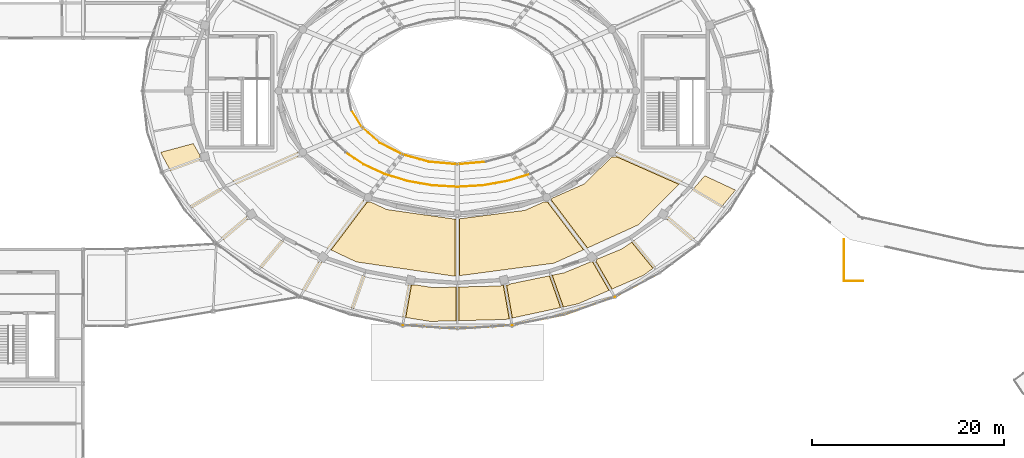
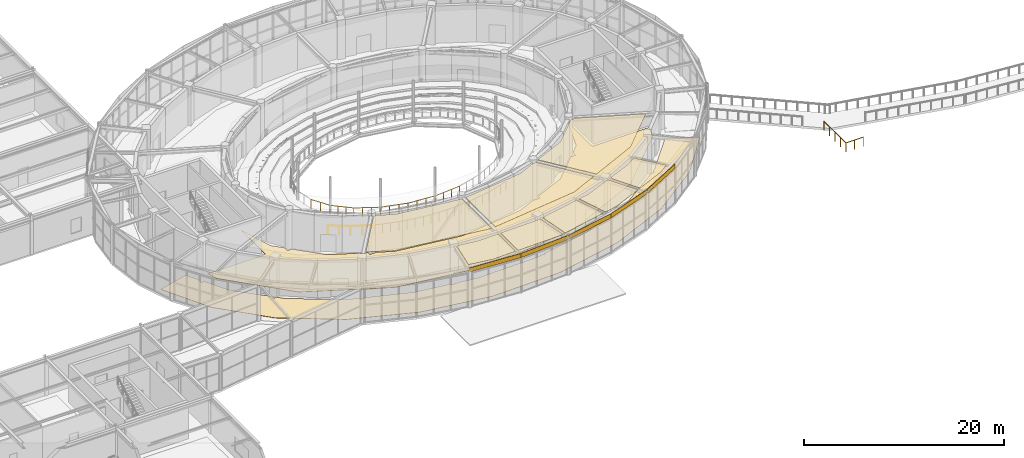
# One storey, part 91 of 100: 16 railings, 15 coverings.
"""IFC4 building model written with IfcOpenShell, lengths in metres."""

from ifc_helpers import new_model, si_unit, direction, frame, frame_2d, origin, origin_2d, place, context, subcontext, project, spatial, polyline, rectangle, circle, outline, extrude, material, layer, layer_set, type_object, element, save


model = new_model("IFC4")

# Units and contexts
model_context = context("Model", 3, precision=1e-05, world=origin(), true_north=direction((0.0, 1.0)))
body_context = subcontext(model_context, "Body", "Model", "MODEL_VIEW")
ifc_project = project(units=[si_unit("LENGTHUNIT", "METRE"), si_unit("AREAUNIT", "SQUARE_METRE"), si_unit("VOLUMEUNIT", "CUBIC_METRE"), si_unit("PLANEANGLEUNIT", "RADIAN"), si_unit("MASSUNIT", "GRAM", prefix="KILO")], contexts=[model_context])

# Site, building, storey
site_placement = place(None, origin())
site = spatial("IfcSite", under=ifc_project, at=site_placement, CompositionType="ELEMENT")
building_placement = place(site_placement, origin())
building = spatial("IfcBuilding", under=site, at=building_placement, Name="Tarnveldt Headland Concert Hall", CompositionType="ELEMENT")
storey_placement = place(building_placement, frame((0.0, 0.0, 4.800048828125)))
storey = spatial("IfcBuildingStorey", under=building, at=storey_placement, Name="L01", CompositionType="ELEMENT", Elevation=4.800048828125)

# Coverings
ifc_material_1 = material(Name="Micro-perforated mvule acoustic ceiling panel", Category="timber")
ifc_layer_1 = layer(ifc_material_1, 0.050048828125, Name="Micro-perforated mvule acoustic ceiling panel", Category="timber")
ifc_layer_set_1 = layer_set([ifc_layer_1], Name="Micro-perforated mvule acoustic ceiling panel")
covering_type_1 = type_object("IfcCoveringType", Name="CV-CEIL50", PredefinedType="CEILING", material=ifc_layer_set_1)
covering_1_placement = place(storey_placement, frame((0.0, 0.0, 4.489990234375)))
element("IfcCovering", 1, at=covering_1_placement, inside=storey, type_object=covering_type_1, Name="Acoustic mvule ceiling L01-09-116", PredefinedType="CEILING", context=body_context, shape_type="SweptSolid", body=[
    extrude(outline(polyline([(76.165283203125, 42.1376953125), (83.27001953125, 41.127685546875), (83.27001953125, 35.18359375), (83.260986328125, 35.182373046875), (72.973388671875, 36.675048828125), (70.344482421875, 37.91748046875), (74.111083984375, 42.914794921875), (74.46875, 42.914794921875), (76.114990234375, 42.152587890625), (76.13134765625, 42.14599609375), (76.148193359375, 42.140869140625), (76.165283203125, 42.1376953125)])), origin(), (0.0, 0.0, 1.0), 0.050048828125),
])
covering_2_placement = place(storey_placement, frame((0.0, 0.0, 4.489990234375)))
element("IfcCovering", 2, at=covering_2_placement, inside=storey, type_object=covering_type_1, Name="Acoustic mvule ceiling L01-09-117", PredefinedType="CEILING", context=body_context, shape_type="SweptSolid", body=[
    extrude(outline(polyline([(90.525146484375, 42.050537109375), (90.54248046875, 42.0537109375), (90.55908203125, 42.058349609375), (90.575439453125, 42.064697265625), (92.482421875, 42.914794921875), (92.888916015625, 42.914794921875), (96.640380859375, 37.93798828125), (93.58447265625, 36.54736328125), (83.72998046875, 35.244384765625), (83.72998046875, 41.17041015625), (83.95947265625, 41.199951171875), (84.0, 41.199951171875), (84.0, 41.205322265625), (90.525146484375, 42.050537109375)])), origin(), (0.0, 0.0, 1.0), 0.050048828125),
])
covering_3_placement = place(storey_placement, frame((0.0, 0.0, 4.489990234375)))
element("IfcCovering", 3, at=covering_3_placement, inside=storey, type_object=covering_type_1, Name="Acoustic mvule ceiling L01-09-118", PredefinedType="CEILING", context=body_context, shape_type="SweptSolid", body=[
    extrude(outline(polyline([(96.726318359375, 44.8076171875), (96.739990234375, 44.816162109375), (96.7529296875, 44.82568359375), (96.764892578125, 44.836669921875), (99.569580078125, 47.60009765625), (100.108154296875, 47.60009765625), (100.108154296875, 47.62744140625), (106.586669921875, 44.762451171875), (102.412109375, 40.564208984375), (97.069091796875, 38.133056640625), (93.300048828125, 43.1337890625), (93.300048828125, 43.279296875), (96.7119140625, 44.80029296875), (96.726318359375, 44.8076171875)])), origin(), (0.0, 0.0, 1.0), 0.050048828125),
])
covering_4_placement = place(storey_placement, frame((0.0, 0.0, 4.489990234375)))
element("IfcCovering", 4, at=covering_4_placement, inside=storey, type_object=covering_type_1, Name="Acoustic mvule ceiling L01-11-130", PredefinedType="CEILING", context=body_context, shape_type="SweptSolid", body=[
    extrude(outline(polyline([(78.12451171875, 30.88427734375), (78.72314453125, 34.27880859375), (79.162841796875, 34.27880859375), (79.162841796875, 34.27978515625), (80.99755859375, 33.999755859375), (81.013427734375, 33.998046875), (81.029296875, 33.997802734375), (83.344970703125, 34.055908203125), (83.344970703125, 30.54248046875), (80.69677734375, 30.472900390625), (78.12451171875, 30.88427734375)])), origin(), (0.0, 0.0, 1.0), 0.050048828125),
])
covering_5_placement = place(storey_placement, frame((0.0, 0.0, 4.489990234375)))
element("IfcCovering", 5, at=covering_5_placement, inside=storey, type_object=covering_type_1, Name="Acoustic mvule ceiling L01-11-131", PredefinedType="CEILING", context=body_context, shape_type="SweptSolid", body=[
    extrude(outline(polyline([(83.655029296875, 34.0634765625), (87.947265625, 34.17138671875), (87.963134765625, 34.17236328125), (87.97900390625, 34.1748046875), (88.2841796875, 34.23779296875), (88.89794921875, 30.7578125), (88.53125, 30.6787109375), (83.655029296875, 30.550537109375), (83.655029296875, 34.0634765625)])), origin(), (0.0, 0.0, 1.0), 0.050048828125),
])
covering_6_placement = place(storey_placement, frame((0.0, 0.0, 4.489990234375)))
element("IfcCovering", 6, at=covering_6_placement, inside=storey, type_object=covering_type_1, Name="Acoustic mvule ceiling L01-11-132", PredefinedType="CEILING", context=body_context, shape_type="SweptSolid", body=[
    extrude(outline(polyline([(88.88720703125, 34.27880859375), (88.88720703125, 34.36181640625), (93.08203125, 35.22607421875), (94.254638671875, 31.913330078125), (89.240234375, 30.83154296875), (88.63232421875, 34.27880859375), (88.88720703125, 34.27880859375)])), origin(), (0.0, 0.0, 1.0), 0.050048828125),
])
covering_7_placement = place(storey_placement, frame((0.0, 0.0, 4.489990234375)))
element("IfcCovering", 7, at=covering_7_placement, inside=storey, type_object=covering_type_1, Name="Acoustic mvule ceiling L01-11-133", PredefinedType="CEILING", context=body_context, shape_type="SweptSolid", body=[
    extrude(outline(polyline([(99.30126953125, 33.70947265625), (96.065185546875, 32.303955078125), (94.560302734375, 31.979248046875), (93.388671875, 35.2890625), (94.633056640625, 35.54541015625), (94.649658203125, 35.549560546875), (94.665771484375, 35.555419921875), (97.31591796875, 36.654541015625), (97.60107421875, 36.654541015625), (99.30126953125, 33.70947265625)])), origin(), (0.0, 0.0, 1.0), 0.050048828125),
])
covering_8_placement = place(storey_placement, frame((0.0, 0.0, 4.489990234375)))
element("IfcCovering", 8, at=covering_8_placement, inside=storey, type_object=covering_type_1, Name="Acoustic mvule ceiling L01-11-134", PredefinedType="CEILING", context=body_context, shape_type="SweptSolid", body=[
    extrude(outline(polyline([(100.694091796875, 38.059814453125), (101.662841796875, 38.73193359375), (103.887939453125, 36.00537109375), (102.848876953125, 35.25048828125), (99.62451171875, 33.849853515625), (98.005126953125, 36.654541015625), (98.02490234375, 36.654541015625), (98.02490234375, 36.948486328125), (100.660400390625, 38.04150390625), (100.677734375, 38.0498046875), (100.694091796875, 38.059814453125)])), origin(), (0.0, 0.0, 1.0), 0.050048828125),
])
ifc_material_2 = material(Name="Treated East African mvule hardwood", Category="wood")
ifc_layer_2 = layer(ifc_material_2, 0.044921875, Name="Treated East African mvule hardwood", Category="wood")
ifc_layer_set_2 = layer_set([ifc_layer_2], Name="Treated East African mvule hardwood")
covering_type_2 = type_object("IfcCoveringType", Name="CV-CLAD45", PredefinedType="CLADDING", material=ifc_layer_set_2)
for number, where, z_axis, x_axis, name in (
    (9, (77.80419921875, 30.076904296875, 4.239990234375), (0.0, 0.0, 1.0), (0.997817213059, -0.066036424216, 0.0), "Mvule hardwood fascia band L01-27"),
    (10, (83.5, 29.699951171875, 4.239990234375), (0.0, 0.0, 1.0), (0.997817213059, 0.066036424216, 0.0), "Mvule hardwood fascia band L01-28"),
):
    element("IfcCovering", number, at=place(storey_placement, frame(where, z_axis=z_axis, x_axis=x_axis)), inside=storey, type_object=covering_type_2, Name=name, PredefinedType="CLADDING", context=body_context, shape_type="SweptSolid", body=[
        extrude(rectangle(XDim=5.708251953125, YDim=0.044921875, at=frame_2d((2.85400390625, 0.0))), origin(), (0.0, 0.0, 1.0), 0.52001953125),
    ])
covering_9_placement = place(storey_placement, frame((89.19580078125, 30.076904296875, 4.239990234375), z_axis=(0.0, 0.0, 1.0), x_axis=(0.980094417088, 0.198531946026, 0.0)))
element("IfcCovering", 11, at=covering_9_placement, inside=storey, type_object=covering_type_2, Name="Mvule hardwood fascia band L01-29", PredefinedType="CLADDING", context=body_context, shape_type="SweptSolid", body=[
    extrude(rectangle(XDim=5.634521484375, YDim=0.044921875, at=frame_2d((2.8173828125, 0.0))), origin(), (0.0, 0.0, 1.0), 0.52001953125),
])
covering_10_placement = place(storey_placement, frame((94.71826171875, 31.195556640625, 4.239990234375), z_axis=(0.0, 0.0, 1.0), x_axis=(0.943085453999, 0.332550487077, 0.0)))
element("IfcCovering", 12, at=covering_10_placement, inside=storey, type_object=covering_type_2, Name="Mvule hardwood fascia band L01-30", PredefinedType="CLADDING", context=body_context, shape_type="SweptSolid", body=[
    extrude(rectangle(XDim=5.494384765625, YDim=0.044921875, at=frame_2d((2.7470703125, 0.0))), origin(), (0.0, 0.0, 1.0), 0.52001953125),
])
covering_11_placement = place(storey_placement, frame((99.89990234375, 33.022705078125, 4.239990234375), z_axis=(0.0, 0.0, 1.0), x_axis=(0.88379239872, 0.467879253617, 0.0)))
element("IfcCovering", 13, at=covering_11_placement, inside=storey, type_object=covering_type_2, Name="Mvule hardwood fascia band L01-31", PredefinedType="CLADDING", context=body_context, shape_type="SweptSolid", body=[
    extrude(rectangle(XDim=5.29931640625, YDim=0.044921875, at=frame_2d((2.649658203125, 0.0))), origin(), (0.0, 0.0, 1.0), 0.52001953125),
])
ifc_material_3 = material(Name="Polished coral-aggregate cementitious terrazzo flooring", Category="concrete")
ifc_layer_3 = layer(ifc_material_3, 0.034912109375, Name="Polished coral-aggregate cementitious terrazzo flooring", Category="concrete")
ifc_layer_set_3 = layer_set([ifc_layer_3], Name="Polished coral-aggregate cementitious terrazzo flooring")
covering_type_3 = type_object("IfcCoveringType", Name="CV-FLOR35", PredefinedType="FLOORING", material=ifc_layer_set_3)
covering_12_placement = place(storey_placement, origin())
element("IfcCovering", 14, at=covering_12_placement, inside=storey, type_object=covering_type_3, Name="Architectural flooring L01-09-36", PredefinedType="FLOORING", context=body_context, shape_type="SweptSolid", body=[
    extrude(outline(polyline([(65.89794921875, 49.190185546875), (66.891845703125, 48.17333984375), (66.891845703125, 47.60009765625), (67.45263671875, 47.60009765625), (69.9951171875, 44.999755859375), (70.0068359375, 44.988525390625), (70.019775390625, 44.978515625), (70.03369140625, 44.9697265625), (70.048095703125, 44.96240234375), (73.699951171875, 43.27099609375), (73.699951171875, 42.914794921875), (74.46875, 42.914794921875), (76.114990234375, 42.152587890625), (76.13134765625, 42.14599609375), (76.148193359375, 42.140869140625), (76.165283203125, 42.1376953125), (83.308837890625, 41.122314453125), (83.324951171875, 41.12060546875), (83.34130859375, 41.12060546875), (83.357421875, 41.1220703125), (83.95947265625, 41.199951171875), (84.0, 41.199951171875), (84.0, 41.205322265625), (90.525146484375, 42.050537109375), (90.54248046875, 42.0537109375), (90.55908203125, 42.058349609375), (90.575439453125, 42.064697265625), (92.482421875, 42.914794921875), (93.300048828125, 42.914794921875), (93.300048828125, 43.279296875), (96.7119140625, 44.80029296875), (96.726318359375, 44.8076171875), (96.739990234375, 44.816162109375), (96.7529296875, 44.82568359375), (96.764892578125, 44.836669921875), (99.569580078125, 47.60009765625), (100.108154296875, 47.60009765625), (100.108154296875, 48.130615234375), (100.966796875, 48.9765625), (100.978271484375, 48.989013671875), (100.988525390625, 49.00244140625), (100.99755859375, 49.016845703125), (101.005126953125, 49.031982421875), (101.01123046875, 49.0478515625), (102.320068359375, 52.966796875), (102.320068359375, 48.300048828125), (102.32080078125, 48.282470703125), (102.323486328125, 48.264892578125), (102.327880859375, 48.247802734375), (102.333740234375, 48.231201171875), (102.34130859375, 48.215087890625), (102.350341796875, 48.199951171875), (102.36083984375, 48.185791015625), (102.372802734375, 48.172607421875), (102.3857421875, 48.160888671875), (102.39990234375, 48.150390625), (102.4150390625, 48.141357421875), (102.43115234375, 48.1337890625), (102.44775390625, 48.127685546875), (102.46484375, 48.12353515625), (102.482421875, 48.120849609375), (102.5, 48.1201171875), (108.928955078125, 48.1201171875), (108.440185546875, 46.62646484375), (102.412109375, 40.564208984375), (93.58447265625, 36.54736328125), (83.260986328125, 35.182373046875), (72.973388671875, 36.675048828125), (64.24658203125, 40.7998046875), (58.369384765625, 46.934814453125), (58.01220703125, 48.1201171875), (64.5, 48.1201171875), (64.517578125, 48.120849609375), (64.53515625, 48.12353515625), (64.55224609375, 48.127685546875), (64.56884765625, 48.1337890625), (64.5849609375, 48.141357421875), (64.60009765625, 48.150390625), (64.6142578125, 48.160888671875), (64.627197265625, 48.172607421875), (64.63916015625, 48.185791015625), (64.649658203125, 48.199951171875), (64.65869140625, 48.215087890625), (64.666259765625, 48.231201171875), (64.672119140625, 48.247802734375), (64.676513671875, 48.264892578125), (64.67919921875, 48.282470703125), (64.679931640625, 48.300048828125), (64.679931640625, 53.08154296875), (65.8544921875, 49.262939453125), (65.8603515625, 49.246826171875), (65.86767578125, 49.2314453125), (65.87646484375, 49.216796875), (65.886474609375, 49.202880859375), (65.89794921875, 49.190185546875)])), origin(), (0.0, 0.0, 1.0), 0.034912109375),
])
covering_13_placement = place(storey_placement, origin())
element("IfcCovering", 15, at=covering_13_placement, inside=storey, type_object=covering_type_3, Name="Architectural flooring L01-11-38", PredefinedType="FLOORING", context=body_context, shape_type="SweptSolid", body=[
    extrude(outline(polyline([(58.5341796875, 44.48193359375), (61.52587890625, 41.524169921875), (61.52587890625, 41.119140625), (61.935546875, 41.119140625), (62.60302734375, 40.459228515625), (62.619140625, 40.445068359375), (62.63671875, 40.43310546875), (67.939453125, 37.23681640625), (67.955810546875, 37.228271484375), (67.972900390625, 37.22119140625), (68.97509765625, 36.8701171875), (68.97509765625, 36.654541015625), (69.59033203125, 36.654541015625), (74.1943359375, 35.04150390625), (74.21044921875, 35.03662109375), (74.226806640625, 35.033447265625), (78.11279296875, 34.440185546875), (78.11279296875, 34.27880859375), (79.162841796875, 34.27880859375), (79.162841796875, 34.27978515625), (80.99755859375, 33.999755859375), (81.013427734375, 33.998046875), (81.029296875, 33.997802734375), (87.947265625, 34.17138671875), (87.963134765625, 34.17236328125), (87.97900390625, 34.1748046875), (88.4833984375, 34.27880859375), (88.88720703125, 34.27880859375), (88.88720703125, 34.36181640625), (94.633056640625, 35.54541015625), (94.649658203125, 35.549560546875), (94.665771484375, 35.555419921875), (97.31591796875, 36.654541015625), (98.02490234375, 36.654541015625), (98.02490234375, 36.948486328125), (100.660400390625, 38.04150390625), (100.677734375, 38.0498046875), (100.694091796875, 38.059814453125), (105.1044921875, 41.119140625), (105.47412109375, 41.119140625), (105.47412109375, 41.375732421875), (105.673583984375, 41.513916015625), (105.685302734375, 41.52294921875), (105.696533203125, 41.532958984375), (105.706787109375, 41.543701171875), (109.285888671875, 45.658203125), (112.486083984375, 44.166015625), (108.477783203125, 39.33984375), (102.848876953125, 35.25048828125), (96.065185546875, 32.303955078125), (88.53125, 30.6787109375), (80.69677734375, 30.472900390625), (73.02978515625, 31.698974609375), (65.988037109375, 34.28271484375), (59.99169921875, 38.068115234375), (55.396484375, 42.826171875), (52.566650390625, 48.095703125), (55.979248046875, 49.010009765625), (56.66357421875, 47.79345703125), (56.66357421875, 47.134521484375), (57.0341796875, 47.134521484375), (58.50390625, 44.521728515625), (58.5126953125, 44.507568359375), (58.52294921875, 44.494140625), (58.5341796875, 44.48193359375)])), origin(), (0.0, 0.0, 1.0), 0.034912109375),
])

# Railings
ifc_material_4 = material(Name="Marine stainless steel", Category="steel")
ifc_layer_4 = layer(ifc_material_4, 0.074951171875, Name="Marine stainless steel", Category="steel")
ifc_layer_set_4 = layer_set([ifc_layer_4], Name="Marine stainless steel")
railing_type_1 = type_object("IfcRailingType", Name="RL-BAL110", PredefinedType="BALUSTRADE", material=ifc_layer_set_4)
railing_1_placement = place(storey_placement, frame((125.800048828125, 34.669921875, 0.0)))
element("IfcRailing", 16, at=railing_1_placement, inside=storey, type_object=railing_type_1, Name="GUARD Forecourt ramp top landing balustrade 1", PredefinedType="BALUSTRADE", context=body_context, shape_type="SweptSolid", body=[
    extrude(circle(Radius=0.02392578125, at=origin_2d()), frame((0.0, 0.0, 1.076171875), z_axis=(-1.0, 0.0, 0.0), x_axis=(0.0, -1.0, 0.0)), (0.0, 0.0, 1.0), 2.0),
    extrude(circle(Radius=0.02099609375, at=origin_2d()), origin(), (0.0, 0.0, 1.0), 1.052001953125),
    extrude(circle(Radius=0.02099609375, at=origin_2d()), frame((-1.0, 0.0, 0.0)), (0.0, 0.0, 1.0), 1.052001953125),
    extrude(circle(Radius=0.02099609375, at=origin_2d()), frame((-2.0, 0.0, 0.0)), (0.0, 0.0, 1.0), 1.052001953125),
])
railing_2_placement = place(storey_placement, frame((123.800048828125, 34.669921875, 0.0)))
element("IfcRailing", 17, at=railing_2_placement, inside=storey, type_object=railing_type_1, Name="GUARD Forecourt ramp top landing balustrade 2", PredefinedType="BALUSTRADE", context=body_context, shape_type="SweptSolid", body=[
    extrude(circle(Radius=0.02392578125, at=origin_2d()), frame((0.0, 0.0, 1.076171875), z_axis=(0.0, 1.0, 0.0), x_axis=(-1.0, 0.0, 0.0)), (0.0, 0.0, 1.0), 4.330078125),
    extrude(circle(Radius=0.02099609375, at=origin_2d()), origin(), (0.0, 0.0, 1.0), 1.052001953125),
    extrude(circle(Radius=0.02099609375, at=origin_2d()), frame((0.0, 1.08251953125, 0.0)), (0.0, 0.0, 1.0), 1.052001953125),
    extrude(circle(Radius=0.02099609375, at=origin_2d()), frame((0.0, 2.1650390625, 0.0)), (0.0, 0.0, 1.0), 1.052001953125),
    extrude(circle(Radius=0.02099609375, at=origin_2d()), frame((0.0, 3.24755859375, 0.0)), (0.0, 0.0, 1.0), 1.052001953125),
    extrude(circle(Radius=0.02099609375, at=origin_2d()), frame((0.0, 4.330078125, 0.0)), (0.0, 0.0, 1.0), 1.052001953125),
])
ifc_layer_5 = layer(ifc_material_4, 0.06005859375, Name="Marine stainless steel", Category="steel")
ifc_layer_set_5 = layer_set([ifc_layer_5], Name="Marine stainless steel")
railing_type_2 = type_object("IfcRailingType", Name="RL-GRD110", PredefinedType="GUARDRAIL", material=ifc_layer_set_5)
railing_3_placement = place(storey_placement, frame((72.440185546875, 52.52001953125, 0.280029296875)))
element("IfcRailing", 18, at=railing_3_placement, inside=storey, type_object=railing_type_2, Name="GUARD Symphony tier sightline guardrail L01 14", PredefinedType="GUARDRAIL", context=body_context, shape_type="SweptSolid", body=[
    extrude(circle(Radius=0.02392578125, at=origin_2d()), frame((0.0, 0.0, 1.076171875), z_axis=(0.526912047172, -0.849919816538, 0.0), x_axis=(0.849919816538, 0.526912047172, 0.0)), (0.0, 0.0, 1.0), 2.170654296875),
    extrude(circle(Radius=0.02099609375, at=origin_2d()), origin(), (0.0, 0.0, 1.0), 1.052001953125),
    extrude(circle(Radius=0.02099609375, at=origin_2d()), frame((0.57177734375, -0.92236328125, 0.0)), (0.0, 0.0, 1.0), 1.052001953125),
    extrude(circle(Radius=0.02099609375, at=origin_2d()), frame((1.143798828125, -1.844970703125, 0.0)), (0.0, 0.0, 1.0), 1.052001953125),
])
railing_4_placement = place(storey_placement, frame((73.583984375, 50.675048828125, 0.280029296875)))
element("IfcRailing", 19, at=railing_4_placement, inside=storey, type_object=railing_type_2, Name="GUARD Symphony tier sightline guardrail L01 15", PredefinedType="GUARDRAIL", context=body_context, shape_type="SweptSolid", body=[
    extrude(circle(Radius=0.02392578125, at=origin_2d()), frame((0.0, 0.0, 1.076171875), z_axis=(0.754147872627, -0.656704641534, 0.0), x_axis=(0.656704641534, 0.754147872627, 0.0)), (0.0, 0.0, 1.0), 2.412841796875),
    extrude(circle(Radius=0.02099609375, at=origin_2d()), origin(), (0.0, 0.0, 1.0), 1.052001953125),
    extrude(circle(Radius=0.02099609375, at=origin_2d()), frame((0.6064453125, -0.528076171875, 0.0)), (0.0, 0.0, 1.0), 1.052001953125),
    extrude(circle(Radius=0.02099609375, at=origin_2d()), frame((1.213134765625, -1.056396484375, 0.0)), (0.0, 0.0, 1.0), 1.052001953125),
    extrude(circle(Radius=0.02099609375, at=origin_2d()), frame((1.819580078125, -1.58447265625, 0.0)), (0.0, 0.0, 1.0), 1.052001953125),
])
railing_5_placement = place(storey_placement, frame((75.403564453125, 49.090576171875, 0.280029296875)))
element("IfcRailing", 20, at=railing_5_placement, inside=storey, type_object=railing_type_2, Name="GUARD Symphony tier sightline guardrail L01 16", PredefinedType="GUARDRAIL", context=body_context, shape_type="SweptSolid", body=[
    extrude(circle(Radius=0.02392578125, at=origin_2d()), frame((0.0, 0.0, 1.076171875), z_axis=(0.889892806019, -0.456169698463, 0.0), x_axis=(0.456169698463, 0.889892806019, 0.0)), (0.0, 0.0, 1.0), 2.664794921875),
    extrude(circle(Radius=0.02099609375, at=origin_2d()), origin(), (0.0, 0.0, 1.0), 1.052001953125),
    extrude(circle(Radius=0.02099609375, at=origin_2d()), frame((0.79052734375, -0.4052734375, 0.0)), (0.0, 0.0, 1.0), 1.052001953125),
    extrude(circle(Radius=0.02099609375, at=origin_2d()), frame((1.580810546875, -0.810302734375, 0.0)), (0.0, 0.0, 1.0), 1.052001953125),
    extrude(circle(Radius=0.02099609375, at=origin_2d()), frame((2.371337890625, -1.215576171875, 0.0)), (0.0, 0.0, 1.0), 1.052001953125),
])
railing_6_placement = place(storey_placement, frame((77.77490234375, 47.875, 0.280029296875)))
element("IfcRailing", 21, at=railing_6_placement, inside=storey, type_object=railing_type_2, Name="GUARD Symphony tier sightline guardrail L01 17", PredefinedType="GUARDRAIL", context=body_context, shape_type="SweptSolid", body=[
    extrude(circle(Radius=0.02392578125, at=origin_2d()), frame((0.0, 0.0, 1.076171875), z_axis=(0.963764063419, -0.266756124696, 0.0), x_axis=(0.266756124696, 0.963764063419, 0.0)), (0.0, 0.0, 1.0), 2.865478515625),
    extrude(circle(Radius=0.02099609375, at=origin_2d()), origin(), (0.0, 0.0, 1.0), 1.052001953125),
    extrude(circle(Radius=0.02099609375, at=origin_2d()), frame((0.920654296875, -0.2548828125, 0.0)), (0.0, 0.0, 1.0), 1.052001953125),
    extrude(circle(Radius=0.02099609375, at=origin_2d()), frame((1.841064453125, -0.509521484375, 0.0)), (0.0, 0.0, 1.0), 1.052001953125),
    extrude(circle(Radius=0.02099609375, at=origin_2d()), frame((2.76171875, -0.764404296875, 0.0)), (0.0, 0.0, 1.0), 1.052001953125),
])
railing_7_placement = place(storey_placement, frame((80.53662109375, 47.110595703125, 0.280029296875)))
element("IfcRailing", 22, at=railing_7_placement, inside=storey, type_object=railing_type_2, Name="GUARD Symphony tier sightline guardrail L01 18", PredefinedType="GUARDRAIL", context=body_context, shape_type="SweptSolid", body=[
    extrude(circle(Radius=0.02392578125, at=origin_2d()), frame((0.0, 0.0, 1.076171875), z_axis=(0.996158538672, -0.087568063994, 0.0), x_axis=(0.087568063994, 0.996158538672, 0.0)), (0.0, 0.0, 1.0), 2.974853515625),
    extrude(circle(Radius=0.02099609375, at=origin_2d()), origin(), (0.0, 0.0, 1.0), 1.052001953125),
    extrude(circle(Radius=0.02099609375, at=origin_2d()), frame((0.98779296875, -0.0869140625, 0.0)), (0.0, 0.0, 1.0), 1.052001953125),
    extrude(circle(Radius=0.02099609375, at=origin_2d()), frame((1.9755859375, -0.173583984375, 0.0)), (0.0, 0.0, 1.0), 1.052001953125),
    extrude(circle(Radius=0.02099609375, at=origin_2d()), frame((2.96337890625, -0.260498046875, 0.0)), (0.0, 0.0, 1.0), 1.052001953125),
])
railing_8_placement = place(storey_placement, frame((83.5, 46.85009765625, 0.280029296875)))
element("IfcRailing", 23, at=railing_8_placement, inside=storey, type_object=railing_type_2, Name="GUARD Symphony tier sightline guardrail L01 19", PredefinedType="GUARDRAIL", context=body_context, shape_type="SweptSolid", body=[
    extrude(circle(Radius=0.02392578125, at=origin_2d()), frame((0.0, 0.0, 1.076171875), z_axis=(0.996158538672, 0.087568063994, 0.0), x_axis=(-0.087568063994, 0.996158538672, 0.0)), (0.0, 0.0, 1.0), 2.974853515625),
    extrude(circle(Radius=0.02099609375, at=origin_2d()), origin(), (0.0, 0.0, 1.0), 1.052001953125),
    extrude(circle(Radius=0.02099609375, at=origin_2d()), frame((0.98779296875, 0.0869140625, 0.0)), (0.0, 0.0, 1.0), 1.052001953125),
    extrude(circle(Radius=0.02099609375, at=origin_2d()), frame((1.9755859375, 0.173583984375, 0.0)), (0.0, 0.0, 1.0), 1.052001953125),
    extrude(circle(Radius=0.02099609375, at=origin_2d()), frame((2.96337890625, 0.260498046875, 0.0)), (0.0, 0.0, 1.0), 1.052001953125),
])
railing_9_placement = place(storey_placement, frame((71.856201171875, 48.072021484375, 0.0)))
element("IfcRailing", 24, at=railing_9_placement, inside=storey, type_object=railing_type_2, Name="GUARD Auditorium void guardrail L01 23", PredefinedType="GUARDRAIL", context=body_context, shape_type="SweptSolid", body=[
    extrude(circle(Radius=0.02392578125, at=origin_2d()), frame((0.0, 0.0, 1.076171875), z_axis=(0.835418397825, -0.549614501788, 0.0), x_axis=(0.549614501788, 0.835418397825, 0.0)), (0.0, 0.0, 1.0), 2.242431640625),
    extrude(circle(Radius=0.02099609375, at=origin_2d()), origin(), (0.0, 0.0, 1.0), 1.052001953125),
    extrude(circle(Radius=0.02099609375, at=origin_2d()), frame((0.9365234375, -0.6162109375, 0.0)), (0.0, 0.0, 1.0), 1.052001953125),
    extrude(circle(Radius=0.02099609375, at=origin_2d()), frame((1.873291015625, -1.232421875, 0.0)), (0.0, 0.0, 1.0), 1.052001953125),
])
railing_10_placement = place(storey_placement, frame((73.7294921875, 46.839599609375, 0.0)))
element("IfcRailing", 25, at=railing_10_placement, inside=storey, type_object=railing_type_2, Name="GUARD Auditorium void guardrail L01 24", PredefinedType="GUARDRAIL", context=body_context, shape_type="SweptSolid", body=[
    extrude(circle(Radius=0.02392578125, at=origin_2d()), frame((0.0, 0.0, 1.076171875), z_axis=(0.908234283008, -0.418462049854, 0.0), x_axis=(0.418462049854, 0.908234283008, 0.0)), (0.0, 0.0, 1.0), 2.3896484375),
    extrude(circle(Radius=0.02099609375, at=origin_2d()), origin(), (0.0, 0.0, 1.0), 1.052001953125),
    extrude(circle(Radius=0.02099609375, at=origin_2d()), frame((1.085205078125, -0.5, 0.0)), (0.0, 0.0, 1.0), 1.052001953125),
    extrude(circle(Radius=0.02099609375, at=origin_2d()), frame((2.17041015625, -1.0, 0.0)), (0.0, 0.0, 1.0), 1.052001953125),
])
railing_11_placement = place(storey_placement, frame((75.89990234375, 45.839599609375, 0.0)))
element("IfcRailing", 26, at=railing_11_placement, inside=storey, type_object=railing_type_2, Name="GUARD Auditorium void guardrail L01 25", PredefinedType="GUARDRAIL", context=body_context, shape_type="SweptSolid", body=[
    extrude(circle(Radius=0.02392578125, at=origin_2d()), frame((0.0, 0.0, 1.076171875), z_axis=(0.956037133001, -0.293245631381, 0.0), x_axis=(0.293245631381, 0.956037133001, 0.0)), (0.0, 0.0, 1.0), 2.51171875),
    extrude(circle(Radius=0.02099609375, at=origin_2d()), origin(), (0.0, 0.0, 1.0), 1.052001953125),
    extrude(circle(Radius=0.02099609375, at=origin_2d()), frame((0.800537109375, -0.24560546875, 0.0)), (0.0, 0.0, 1.0), 1.052001953125),
    extrude(circle(Radius=0.02099609375, at=origin_2d()), frame((1.600830078125, -0.490966796875, 0.0)), (0.0, 0.0, 1.0), 1.052001953125),
    extrude(circle(Radius=0.02099609375, at=origin_2d()), frame((2.4013671875, -0.736572265625, 0.0)), (0.0, 0.0, 1.0), 1.052001953125),
])
railing_12_placement = place(storey_placement, frame((78.30126953125, 45.10302734375, 0.0)))
element("IfcRailing", 27, at=railing_12_placement, inside=storey, type_object=railing_type_2, Name="GUARD Auditorium void guardrail L01 26", PredefinedType="GUARDRAIL", context=body_context, shape_type="SweptSolid", body=[
    extrude(circle(Radius=0.02392578125, at=origin_2d()), frame((0.0, 0.0, 1.076171875), z_axis=(0.984814752515, -0.173608476834, 0.0), x_axis=(0.173608476834, 0.984814752515, 0.0)), (0.0, 0.0, 1.0), 2.598876953125),
    extrude(circle(Radius=0.02099609375, at=origin_2d()), origin(), (0.0, 0.0, 1.0), 1.052001953125),
    extrude(circle(Radius=0.02099609375, at=origin_2d()), frame((0.85302734375, -0.150390625, 0.0)), (0.0, 0.0, 1.0), 1.052001953125),
    extrude(circle(Radius=0.02099609375, at=origin_2d()), frame((1.706298828125, -0.30078125, 0.0)), (0.0, 0.0, 1.0), 1.052001953125),
    extrude(circle(Radius=0.02099609375, at=origin_2d()), frame((2.559326171875, -0.451171875, 0.0)), (0.0, 0.0, 1.0), 1.052001953125),
])
railing_13_placement = place(storey_placement, frame((80.860595703125, 44.65185546875, 0.0)))
element("IfcRailing", 28, at=railing_13_placement, inside=storey, type_object=railing_type_2, Name="GUARD Auditorium void guardrail L01 27", PredefinedType="GUARDRAIL", context=body_context, shape_type="SweptSolid", body=[
    extrude(circle(Radius=0.02392578125, at=origin_2d()), frame((0.0, 0.0, 1.076171875), z_axis=(0.99834901745, -0.057439005536, 0.0), x_axis=(0.057439005536, 0.99834901745, 0.0)), (0.0, 0.0, 1.0), 2.643798828125),
    extrude(circle(Radius=0.02099609375, at=origin_2d()), origin(), (0.0, 0.0, 1.0), 1.052001953125),
    extrude(circle(Radius=0.02099609375, at=origin_2d()), frame((0.8798828125, -0.050537109375, 0.0)), (0.0, 0.0, 1.0), 1.052001953125),
    extrude(circle(Radius=0.02099609375, at=origin_2d()), frame((1.759521484375, -0.101318359375, 0.0)), (0.0, 0.0, 1.0), 1.052001953125),
    extrude(circle(Radius=0.02099609375, at=origin_2d()), frame((2.639404296875, -0.15185546875, 0.0)), (0.0, 0.0, 1.0), 1.052001953125),
])
railing_14_placement = place(storey_placement, frame((83.5, 44.5, 0.0)))
element("IfcRailing", 29, at=railing_14_placement, inside=storey, type_object=railing_type_2, Name="GUARD Auditorium void guardrail L01 28", PredefinedType="GUARDRAIL", context=body_context, shape_type="SweptSolid", body=[
    extrude(circle(Radius=0.02392578125, at=origin_2d()), frame((0.0, 0.0, 1.076171875), z_axis=(0.99834901745, 0.057439005536, 0.0), x_axis=(-0.057439005536, 0.99834901745, 0.0)), (0.0, 0.0, 1.0), 2.643798828125),
    extrude(circle(Radius=0.02099609375, at=origin_2d()), origin(), (0.0, 0.0, 1.0), 1.052001953125),
    extrude(circle(Radius=0.02099609375, at=origin_2d()), frame((0.8798828125, 0.050537109375, 0.0)), (0.0, 0.0, 1.0), 1.052001953125),
    extrude(circle(Radius=0.02099609375, at=origin_2d()), frame((1.759521484375, 0.101318359375, 0.0)), (0.0, 0.0, 1.0), 1.052001953125),
    extrude(circle(Radius=0.02099609375, at=origin_2d()), frame((2.639404296875, 0.15185546875, 0.0)), (0.0, 0.0, 1.0), 1.052001953125),
])
railing_15_placement = place(storey_placement, frame((86.139404296875, 44.65185546875, 0.0)))
element("IfcRailing", 30, at=railing_15_placement, inside=storey, type_object=railing_type_2, Name="GUARD Auditorium void guardrail L01 29", PredefinedType="GUARDRAIL", context=body_context, shape_type="SweptSolid", body=[
    extrude(circle(Radius=0.02392578125, at=origin_2d()), frame((0.0, 0.0, 1.076171875), z_axis=(0.984814752515, 0.173608476834, 0.0), x_axis=(-0.173608476834, 0.984814752515, 0.0)), (0.0, 0.0, 1.0), 2.598876953125),
    extrude(circle(Radius=0.02099609375, at=origin_2d()), origin(), (0.0, 0.0, 1.0), 1.052001953125),
    extrude(circle(Radius=0.02099609375, at=origin_2d()), frame((0.85302734375, 0.150390625, 0.0)), (0.0, 0.0, 1.0), 1.052001953125),
    extrude(circle(Radius=0.02099609375, at=origin_2d()), frame((1.706298828125, 0.30078125, 0.0)), (0.0, 0.0, 1.0), 1.052001953125),
    extrude(circle(Radius=0.02099609375, at=origin_2d()), frame((2.559326171875, 0.451171875, 0.0)), (0.0, 0.0, 1.0), 1.052001953125),
])
railing_16_placement = place(storey_placement, frame((88.69873046875, 45.10302734375, 0.0)))
element("IfcRailing", 31, at=railing_16_placement, inside=storey, type_object=railing_type_2, Name="GUARD Auditorium void guardrail L01 30", PredefinedType="GUARDRAIL", context=body_context, shape_type="SweptSolid", body=[
    extrude(circle(Radius=0.02392578125, at=origin_2d()), frame((0.0, 0.0, 1.076171875), z_axis=(0.956037133001, 0.293245631381, 0.0), x_axis=(-0.293245631381, 0.956037133001, 0.0)), (0.0, 0.0, 1.0), 2.51171875),
    extrude(circle(Radius=0.02099609375, at=origin_2d()), origin(), (0.0, 0.0, 1.0), 1.052001953125),
    extrude(circle(Radius=0.02099609375, at=origin_2d()), frame((0.800537109375, 0.24560546875, 0.0)), (0.0, 0.0, 1.0), 1.052001953125),
    extrude(circle(Radius=0.02099609375, at=origin_2d()), frame((1.600830078125, 0.490966796875, 0.0)), (0.0, 0.0, 1.0), 1.052001953125),
    extrude(circle(Radius=0.02099609375, at=origin_2d()), frame((2.4013671875, 0.736572265625, 0.0)), (0.0, 0.0, 1.0), 1.052001953125),
])

save(model, "model.ifc")
